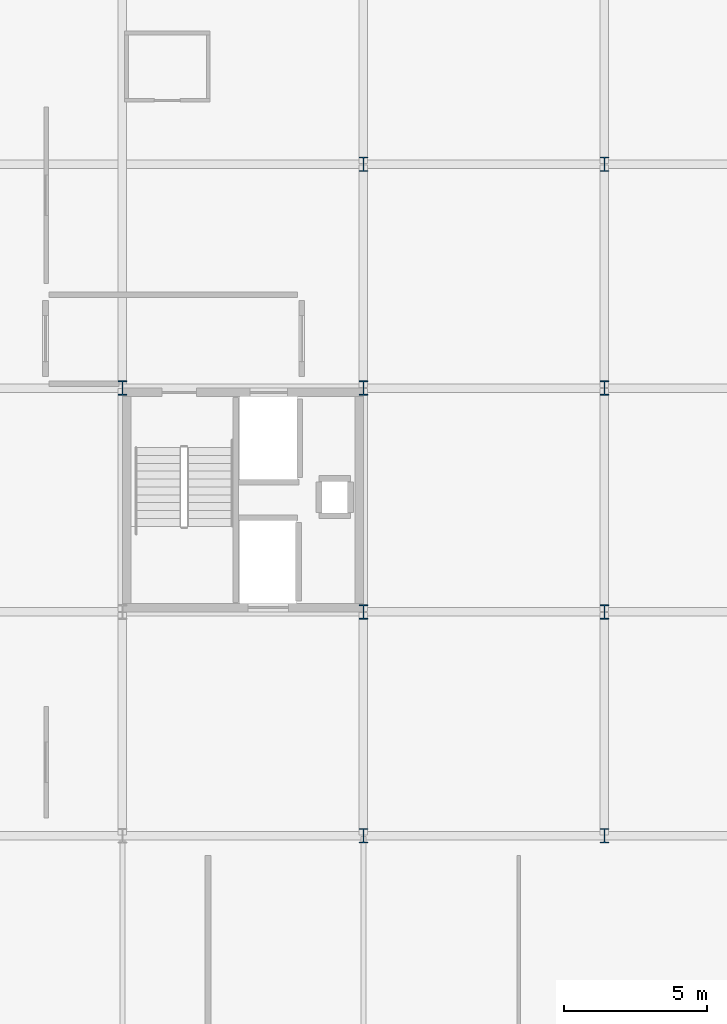
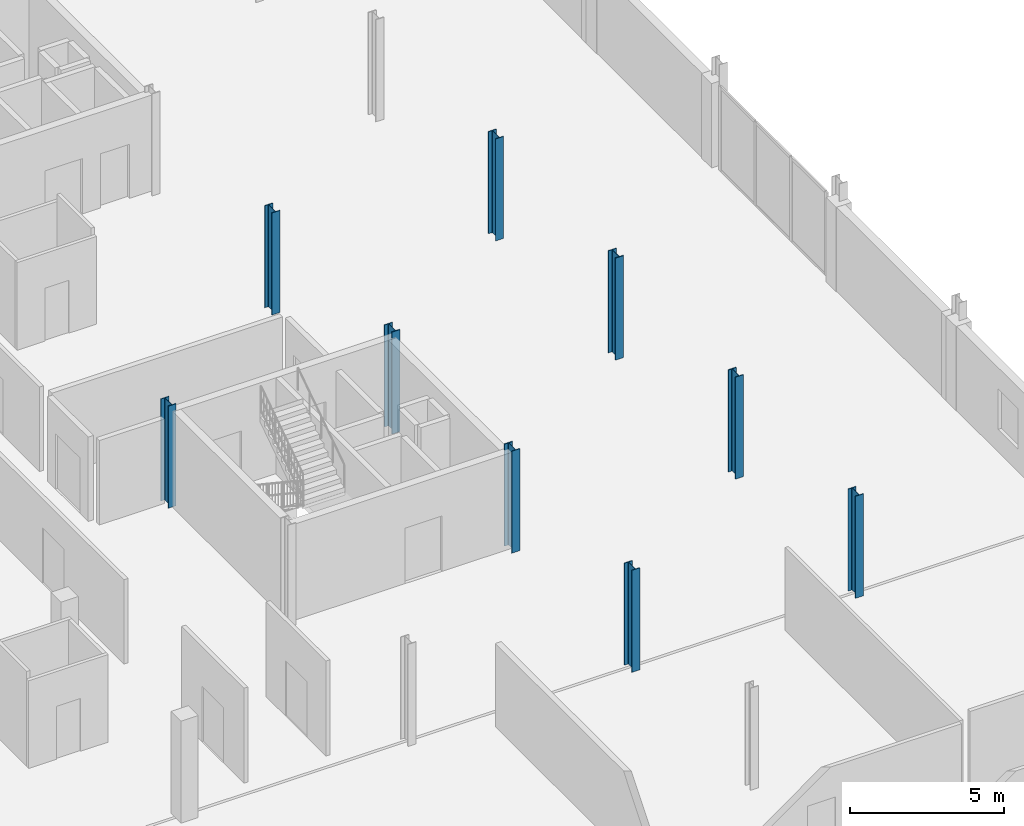
# One storey, part 11 of 77: 9 columns.
"""IFC4 building model written with IfcOpenShell, lengths in metres."""

from ifc_helpers import new_model, si_unit, direction, frame, origin, origin_2d, place, context, subcontext, project, spatial, i_section, extrude, material, material_profile, profile_set, type_object, element, save


model = new_model("IFC4")

# Units and contexts
model_context = context("Model", 3, precision=1e-05, world=origin(), true_north=direction((0.0, 1.0)))
body_context = subcontext(model_context, "Body", "Model", "MODEL_VIEW")
ifc_project = project(units=[si_unit("LENGTHUNIT", "METRE"), si_unit("AREAUNIT", "SQUARE_METRE"), si_unit("VOLUMEUNIT", "CUBIC_METRE"), si_unit("PLANEANGLEUNIT", "RADIAN"), si_unit("MASSUNIT", "GRAM", prefix="KILO")], contexts=[model_context])

# Site, building, storey
site_placement = place(None, origin())
site = spatial("IfcSite", under=ifc_project, at=site_placement, CompositionType="ELEMENT")
building_placement = place(site_placement, origin())
building = spatial("IfcBuilding", under=site, at=building_placement, Name="Nabrawat Pavilion Hospital", CompositionType="ELEMENT")
storey_placement = place(building_placement, frame((0.0, 0.0, 14.85009765625)))
storey = spatial("IfcBuildingStorey", under=building, at=storey_placement, Name="L03", CompositionType="ELEMENT", Elevation=14.85009765625)

# Columns
ifc_material = material(Name="Steel S355", Category="steel")
ifc_material_profile = material_profile(ifc_material, i_section(OverallWidth=0.300048828125, OverallDepth=0.5, WebThickness=0.014404296875, FlangeThickness=0.028076171875, FilletRadius=0.027099609375, at=origin_2d()), Name="HEB 500")
ifc_profile_set = profile_set([ifc_material_profile], Name="Steel S355")
column_type = type_object("IfcColumnType", Name="Composite Steel Column HEB 500", PredefinedType="COLUMN", material=ifc_profile_set)
for number, where, z_axis, x_axis, name in (
    (1, (168.0, 54.60009765625, 0.0), (0.0, 0.0, 1.0), (1.0, 0.0, 0.0), "L03 Structural Column G-21-H"),
    (2, (176.39990234375, 39.0, 0.0), (0.0, 0.0, 1.0), (1.0, 0.0, 0.0), "L03 Structural Column G-22-F1"),
    (3, (176.39990234375, 46.800048828125, 0.0), (0.0, 0.0, 1.0), (1.0, 0.0, 0.0), "L03 Structural Column G-22-G"),
    (4, (176.39990234375, 54.60009765625, 0.0), (0.0, 0.0, 1.0), (1.0, 0.0, 0.0), "L03 Structural Column G-22-H"),
    (5, (176.39990234375, 62.39990234375, 0.0), (0.0, 0.0, 1.0), (1.0, 0.0, 0.0), "L03 Structural Column G-22-J"),
    (6, (184.800048828125, 39.0, 0.0), (0.0, 0.0, 1.0), (1.0, 0.0, 0.0), "L03 Structural Column G-23-F1"),
    (7, (184.800048828125, 46.800048828125, 0.0), (0.0, 0.0, 1.0), (1.0, 0.0, 0.0), "L03 Structural Column G-23-G"),
    (8, (184.800048828125, 54.60009765625, 0.0), (0.0, 0.0, 1.0), (1.0, 0.0, 0.0), "L03 Structural Column G-23-H"),
    (9, (184.800048828125, 62.39990234375, 0.0), (0.0, 0.0, 1.0), (1.0, 0.0, 0.0), "L03 Structural Column G-23-J"),
):
    element("IfcColumn", number, at=place(storey_placement, frame(where, z_axis=z_axis, x_axis=x_axis)), inside=storey, type_object=column_type, Name=name, PredefinedType="COLUMN", context=body_context, shape_type="SweptSolid", body=[
        extrude(i_section(OverallWidth=0.300048828125, OverallDepth=0.5, WebThickness=0.014404296875, FlangeThickness=0.028076171875, FilletRadius=0.027099609375, at=origin_2d()), origin(), (0.0, 0.0, 1.0), 4.0498046875),
    ])

save(model, "model.ifc")
